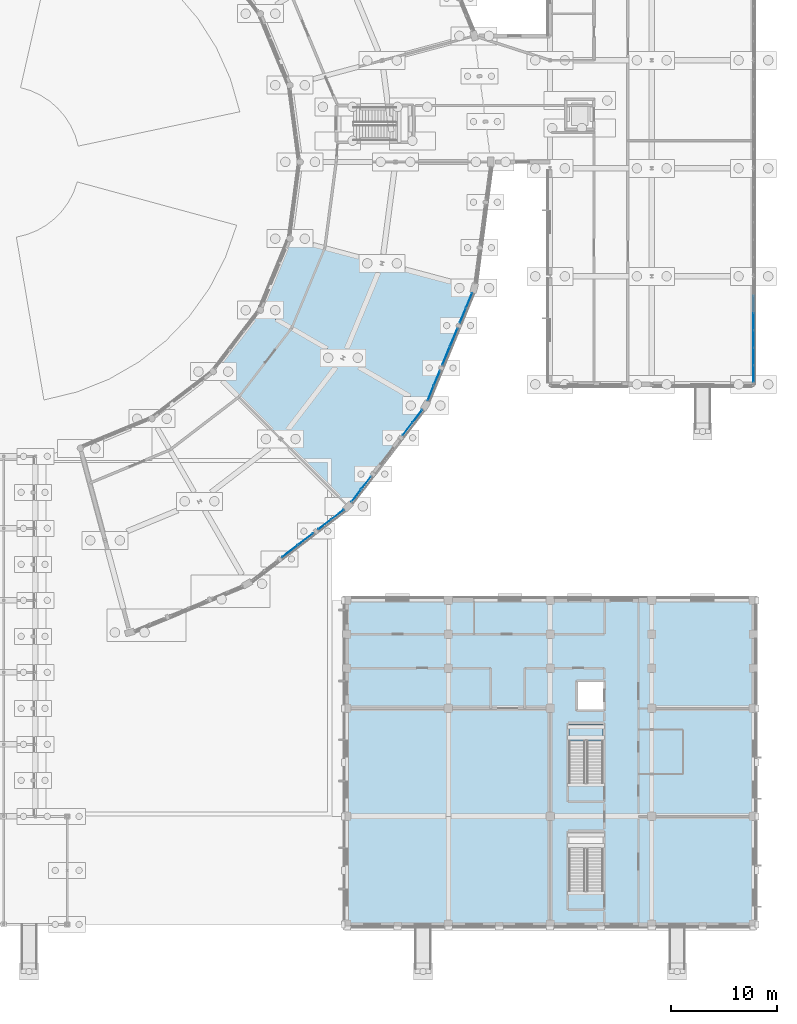
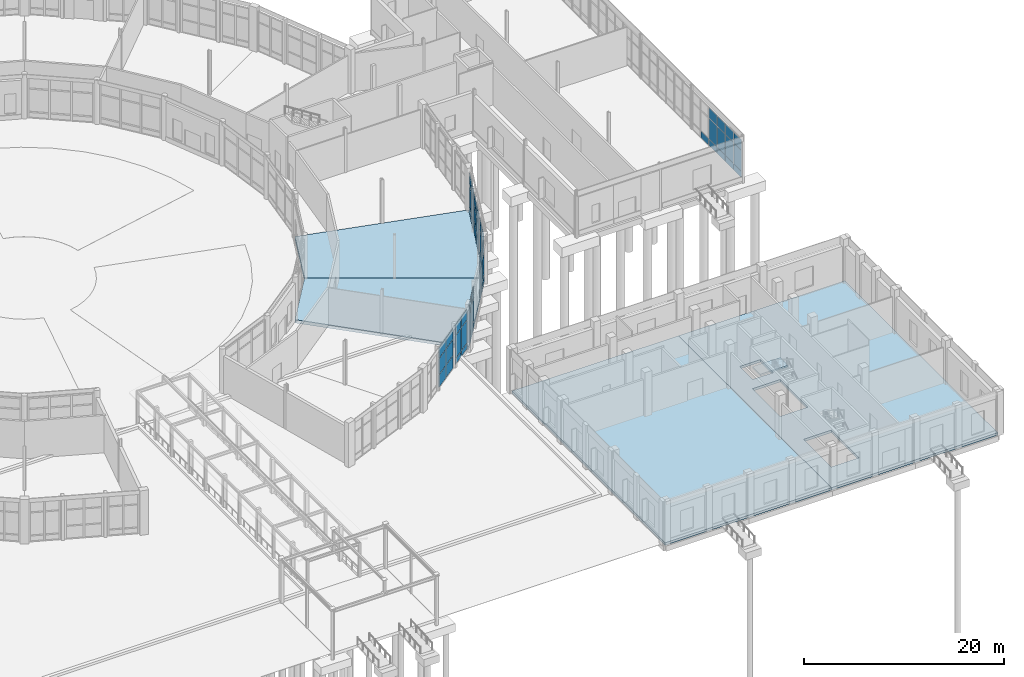
# One storey, part 93 of 137: 55 plates, 5 slabs, 9 elements without a shape of their own.
"""IFC4 building model written with IfcOpenShell, lengths in metres."""

from ifc_helpers import new_model, si_unit, direction, frame, origin, origin_2d, place, context, subcontext, project, spatial, polyline, rectangle, outline, extrude, material, layer, layer_set, type_object, element, aggregate, save


model = new_model("IFC4")

# Units and contexts
model_context = context("Model", 3, precision=1e-05, world=origin(), true_north=direction((0.0, 1.0)))
body_context = subcontext(model_context, "Body", "Model", "MODEL_VIEW")
ifc_project = project(units=[si_unit("LENGTHUNIT", "METRE"), si_unit("AREAUNIT", "SQUARE_METRE"), si_unit("VOLUMEUNIT", "CUBIC_METRE"), si_unit("PLANEANGLEUNIT", "RADIAN"), si_unit("MASSUNIT", "GRAM", prefix="KILO")], contexts=[model_context])

# Site, building, storey
site_placement = place(None, origin())
site = spatial("IfcSite", under=ifc_project, at=site_placement, CompositionType="ELEMENT")
building_placement = place(site_placement, origin())
building = spatial("IfcBuilding", under=site, at=building_placement, Name="Vondelvale Polytechnic", CompositionType="ELEMENT")
storey_placement = place(building_placement, origin())
storey = spatial("IfcBuildingStorey", under=building, at=storey_placement, Name="L00", CompositionType="ELEMENT", Elevation=0.0)

# Curtain wall, plates
ifc_material_1 = material(Name="Glulam GL18 structural Tasmanian oak (fb = 42 MPa)", Category="wood")
curtain_wall_type_1 = type_object("IfcCurtainWallType", Name="CW-RING-OUTER", PredefinedType="NOTDEFINED", material=ifc_material_1)
curtain_wall_1_placement = place(storey_placement, origin())
curtain_wall_1 = element("IfcCurtainWall", 1, at=curtain_wall_1_placement, inside=storey, type_object=curtain_wall_type_1, Name="L00 architectural curtain wall CW-04-343", PredefinedType="NOTDEFINED")
ifc_material_2 = material(Name="Double-glazed low-E insulated architectural glass", Category="glass")
ifc_layer_1 = layer(ifc_material_2, 0.028076171875)
ifc_layer_set_1 = layer_set([ifc_layer_1], Name="CW-PANEL-GLAZED")
plate_type_1 = type_object("IfcPlateType", Name="CW-PANEL-GLAZED", PredefinedType="CURTAIN_PANEL", material=ifc_layer_set_1)
plate_1_placement = place(storey_placement, frame((132.30908203125, 37.771240234375, 0.77978515625), z_axis=(0.0, 0.0, 1.0), x_axis=(0.793351666305, 0.608763610584, 0.0)))
plate_1 = element("IfcPlate", 2, at=plate_1_placement, type_object=plate_type_1, Name="CW-04-343 panel 1.2", PredefinedType="CURTAIN_PANEL", context=body_context, shape_type="SweptSolid", body=[
    extrude(rectangle(XDim=1.454345703125, YDim=0.028076171875, at=origin_2d()), origin(), (0.0, 0.0, 1.0), 2.760009765625),
])
plate_2_placement = place(storey_placement, frame((132.30908203125, 37.771240234375, 3.60009765625), z_axis=(0.0, 0.0, 1.0), x_axis=(0.793351666305, 0.608763610584, 0.0)))
plate_2 = element("IfcPlate", 3, at=plate_2_placement, type_object=plate_type_1, Name="CW-04-343 panel 1.3", PredefinedType="CURTAIN_PANEL", context=body_context, shape_type="SweptSolid", body=[
    extrude(rectangle(XDim=1.454345703125, YDim=0.028076171875, at=origin_2d()), origin(), (0.0, 0.0, 1.0), 1.260009765625),
])
plate_3_placement = place(storey_placement, frame((133.514404296875, 38.696044921875, 0.77978515625), z_axis=(0.0, 0.0, 1.0), x_axis=(0.793351666305, 0.608763610584, 0.0)))
plate_3 = element("IfcPlate", 4, at=plate_3_placement, type_object=plate_type_1, Name="CW-04-343 panel 2.2", PredefinedType="CURTAIN_PANEL", context=body_context, shape_type="SweptSolid", body=[
    extrude(rectangle(XDim=1.454345703125, YDim=0.028076171875, at=origin_2d()), origin(), (0.0, 0.0, 1.0), 2.760009765625),
])
plate_4_placement = place(storey_placement, frame((133.514404296875, 38.696044921875, 3.60009765625), z_axis=(0.0, 0.0, 1.0), x_axis=(0.793351666305, 0.608763610584, 0.0)))
plate_4 = element("IfcPlate", 5, at=plate_4_placement, type_object=plate_type_1, Name="CW-04-343 panel 2.3", PredefinedType="CURTAIN_PANEL", context=body_context, shape_type="SweptSolid", body=[
    extrude(rectangle(XDim=1.454345703125, YDim=0.028076171875, at=origin_2d()), origin(), (0.0, 0.0, 1.0), 1.260009765625),
])

curtain_wall_2_placement = place(storey_placement, origin())
curtain_wall_2 = element("IfcCurtainWall", 6, at=curtain_wall_2_placement, inside=storey, type_object=curtain_wall_type_1, Name="L00 architectural curtain wall CW-04-349", PredefinedType="NOTDEFINED")
plate_5_placement = place(storey_placement, frame((135.303955078125, 40.485595703125, 0.8798828125), z_axis=(0.0, 0.0, 1.0), x_axis=(0.608763610584, 0.793351666305, 0.0)))
plate_5 = element("IfcPlate", 7, at=plate_5_placement, type_object=plate_type_1, Name="CW-04-349 panel 1.2", PredefinedType="CURTAIN_PANEL", context=body_context, shape_type="SweptSolid", body=[
    extrude(rectangle(XDim=1.454345703125, YDim=0.028076171875, at=origin_2d()), origin(), (0.0, 0.0, 1.0), 2.659912109375),
])
plate_6_placement = place(storey_placement, frame((135.303955078125, 40.485595703125, 3.60009765625), z_axis=(0.0, 0.0, 1.0), x_axis=(0.608763610584, 0.793351666305, 0.0)))
plate_6 = element("IfcPlate", 8, at=plate_6_placement, type_object=plate_type_1, Name="CW-04-349 panel 1.3", PredefinedType="CURTAIN_PANEL", context=body_context, shape_type="SweptSolid", body=[
    extrude(rectangle(XDim=1.454345703125, YDim=0.028076171875, at=origin_2d()), origin(), (0.0, 0.0, 1.0), 1.260009765625),
])
plate_7_placement = place(storey_placement, frame((136.228759765625, 41.69091796875, 0.8798828125), z_axis=(0.0, 0.0, 1.0), x_axis=(0.608763610584, 0.793351666305, 0.0)))
plate_7 = element("IfcPlate", 9, at=plate_7_placement, type_object=plate_type_1, Name="CW-04-349 panel 2.2", PredefinedType="CURTAIN_PANEL", context=body_context, shape_type="SweptSolid", body=[
    extrude(rectangle(XDim=1.454345703125, YDim=0.028076171875, at=origin_2d()), origin(), (0.0, 0.0, 1.0), 2.659912109375),
])
plate_8_placement = place(storey_placement, frame((136.228759765625, 41.69091796875, 3.60009765625), z_axis=(0.0, 0.0, 1.0), x_axis=(0.608763610584, 0.793351666305, 0.0)))
plate_8 = element("IfcPlate", 10, at=plate_8_placement, type_object=plate_type_1, Name="CW-04-349 panel 2.3", PredefinedType="CURTAIN_PANEL", context=body_context, shape_type="SweptSolid", body=[
    extrude(rectangle(XDim=1.454345703125, YDim=0.028076171875, at=origin_2d()), origin(), (0.0, 0.0, 1.0), 1.260009765625),
])

curtain_wall_3_placement = place(storey_placement, origin())
curtain_wall_3 = element("IfcCurtainWall", 11, at=curtain_wall_3_placement, inside=storey, type_object=curtain_wall_type_1, Name="L00 architectural curtain wall CW-04-350", PredefinedType="NOTDEFINED")
plate_9_placement = place(storey_placement, frame((140.13525390625, 46.7822265625, 0.8798828125), z_axis=(0.0, 0.0, 1.0), x_axis=(0.608763610584, 0.793351666305, 0.0)))
plate_9 = element("IfcPlate", 12, at=plate_9_placement, type_object=plate_type_1, Name="CW-04-350 panel 1.2", PredefinedType="CURTAIN_PANEL", context=body_context, shape_type="SweptSolid", body=[
    extrude(rectangle(XDim=1.454345703125, YDim=0.028076171875, at=origin_2d()), origin(), (0.0, 0.0, 1.0), 2.659912109375),
])
plate_10_placement = place(storey_placement, frame((140.13525390625, 46.7822265625, 3.60009765625), z_axis=(0.0, 0.0, 1.0), x_axis=(0.608763610584, 0.793351666305, 0.0)))
plate_10 = element("IfcPlate", 13, at=plate_10_placement, type_object=plate_type_1, Name="CW-04-350 panel 1.3", PredefinedType="CURTAIN_PANEL", context=body_context, shape_type="SweptSolid", body=[
    extrude(rectangle(XDim=1.454345703125, YDim=0.028076171875, at=origin_2d()), origin(), (0.0, 0.0, 1.0), 1.260009765625),
])
plate_11_placement = place(storey_placement, frame((141.060302734375, 47.987548828125, 0.8798828125), z_axis=(0.0, 0.0, 1.0), x_axis=(0.608763610584, 0.793351666305, 0.0)))
plate_11 = element("IfcPlate", 14, at=plate_11_placement, type_object=plate_type_1, Name="CW-04-350 panel 2.2", PredefinedType="CURTAIN_PANEL", context=body_context, shape_type="SweptSolid", body=[
    extrude(rectangle(XDim=1.454345703125, YDim=0.028076171875, at=origin_2d()), origin(), (0.0, 0.0, 1.0), 2.659912109375),
])
plate_12_placement = place(storey_placement, frame((141.060302734375, 47.987548828125, 3.60009765625), z_axis=(0.0, 0.0, 1.0), x_axis=(0.608763610584, 0.793351666305, 0.0)))
plate_12 = element("IfcPlate", 15, at=plate_12_placement, type_object=plate_type_1, Name="CW-04-350 panel 2.3", PredefinedType="CURTAIN_PANEL", context=body_context, shape_type="SweptSolid", body=[
    extrude(rectangle(XDim=1.454345703125, YDim=0.028076171875, at=origin_2d()), origin(), (0.0, 0.0, 1.0), 1.260009765625),
])

curtain_wall_4_placement = place(storey_placement, origin())
curtain_wall_4 = element("IfcCurtainWall", 16, at=curtain_wall_4_placement, inside=storey, type_object=curtain_wall_type_1, Name="L00 architectural curtain wall CW-04-359", PredefinedType="NOTDEFINED")
plate_13_placement = place(storey_placement, frame((142.325439453125, 50.178955078125, 0.77978515625), z_axis=(0.0, 0.0, 1.0), x_axis=(0.382679040691, 0.92388135159, 0.0)))
plate_13 = element("IfcPlate", 17, at=plate_13_placement, type_object=plate_type_1, Name="CW-04-359 panel 1.2", PredefinedType="CURTAIN_PANEL", context=body_context, shape_type="SweptSolid", body=[
    extrude(rectangle(XDim=1.454345703125, YDim=0.028076171875, at=origin_2d()), origin(), (0.0, 0.0, 1.0), 2.760009765625),
])
plate_14_placement = place(storey_placement, frame((142.325439453125, 50.178955078125, 3.60009765625), z_axis=(0.0, 0.0, 1.0), x_axis=(0.382679040691, 0.92388135159, 0.0)))
plate_14 = element("IfcPlate", 18, at=plate_14_placement, type_object=plate_type_1, Name="CW-04-359 panel 1.3", PredefinedType="CURTAIN_PANEL", context=body_context, shape_type="SweptSolid", body=[
    extrude(rectangle(XDim=1.454345703125, YDim=0.028076171875, at=origin_2d()), origin(), (0.0, 0.0, 1.0), 1.260009765625),
])
plate_15_placement = place(storey_placement, frame((142.906982421875, 51.582763671875, 0.77978515625), z_axis=(0.0, 0.0, 1.0), x_axis=(0.382679040691, 0.92388135159, 0.0)))
plate_15 = element("IfcPlate", 19, at=plate_15_placement, type_object=plate_type_1, Name="CW-04-359 panel 2.2", PredefinedType="CURTAIN_PANEL", context=body_context, shape_type="SweptSolid", body=[
    extrude(rectangle(XDim=1.454345703125, YDim=0.028076171875, at=origin_2d()), origin(), (0.0, 0.0, 1.0), 2.760009765625),
])
plate_16_placement = place(storey_placement, frame((142.906982421875, 51.582763671875, 3.60009765625), z_axis=(0.0, 0.0, 1.0), x_axis=(0.382679040691, 0.92388135159, 0.0)))
plate_16 = element("IfcPlate", 20, at=plate_16_placement, type_object=plate_type_1, Name="CW-04-359 panel 2.3", PredefinedType="CURTAIN_PANEL", context=body_context, shape_type="SweptSolid", body=[
    extrude(rectangle(XDim=1.454345703125, YDim=0.028076171875, at=origin_2d()), origin(), (0.0, 0.0, 1.0), 1.260009765625),
])

curtain_wall_5_placement = place(storey_placement, origin())
curtain_wall_5 = element("IfcCurtainWall", 21, at=curtain_wall_5_placement, inside=storey, type_object=curtain_wall_type_1, Name="L00 architectural curtain wall CW-04-361", PredefinedType="NOTDEFINED")
plate_17_placement = place(storey_placement, frame((145.36279296875, 57.511474609375, 0.77978515625), z_axis=(0.0, 0.0, 1.0), x_axis=(0.382679040691, 0.92388135159, 0.0)))
plate_17 = element("IfcPlate", 22, at=plate_17_placement, type_object=plate_type_1, Name="CW-04-361 panel 1.2", PredefinedType="CURTAIN_PANEL", context=body_context, shape_type="SweptSolid", body=[
    extrude(rectangle(XDim=1.454345703125, YDim=0.028076171875, at=origin_2d()), origin(), (0.0, 0.0, 1.0), 2.760009765625),
])
plate_18_placement = place(storey_placement, frame((145.36279296875, 57.511474609375, 3.60009765625), z_axis=(0.0, 0.0, 1.0), x_axis=(0.382679040691, 0.92388135159, 0.0)))
plate_18 = element("IfcPlate", 23, at=plate_18_placement, type_object=plate_type_1, Name="CW-04-361 panel 1.3", PredefinedType="CURTAIN_PANEL", context=body_context, shape_type="SweptSolid", body=[
    extrude(rectangle(XDim=1.454345703125, YDim=0.028076171875, at=origin_2d()), origin(), (0.0, 0.0, 1.0), 1.260009765625),
])
plate_19_placement = place(storey_placement, frame((145.9443359375, 58.915283203125, 0.77978515625), z_axis=(0.0, 0.0, 1.0), x_axis=(0.382679040691, 0.92388135159, 0.0)))
plate_19 = element("IfcPlate", 24, at=plate_19_placement, type_object=plate_type_1, Name="CW-04-361 panel 2.2", PredefinedType="CURTAIN_PANEL", context=body_context, shape_type="SweptSolid", body=[
    extrude(rectangle(XDim=1.454345703125, YDim=0.028076171875, at=origin_2d()), origin(), (0.0, 0.0, 1.0), 2.760009765625),
])
plate_20_placement = place(storey_placement, frame((145.9443359375, 58.915283203125, 3.60009765625), z_axis=(0.0, 0.0, 1.0), x_axis=(0.382679040691, 0.92388135159, 0.0)))
plate_20 = element("IfcPlate", 25, at=plate_20_placement, type_object=plate_type_1, Name="CW-04-361 panel 2.3", PredefinedType="CURTAIN_PANEL", context=body_context, shape_type="SweptSolid", body=[
    extrude(rectangle(XDim=1.454345703125, YDim=0.028076171875, at=origin_2d()), origin(), (0.0, 0.0, 1.0), 1.260009765625),
])

ifc_material_3 = material(Name="Anodised extruded aluminium 6063-T6", Category="aluminium")
curtain_wall_type_2 = type_object("IfcCurtainWallType", Name="CW-REFECTORY", PredefinedType="NOTDEFINED", material=ifc_material_3)
curtain_wall_6_placement = place(storey_placement, origin())
curtain_wall_6 = element("IfcCurtainWall", 26, at=curtain_wall_6_placement, inside=storey, type_object=curtain_wall_type_2, Name="L00 architectural curtain wall CW-05-385", PredefinedType="NOTDEFINED")
plate_21_placement = place(storey_placement, frame((172.800048828125, 52.000732421875, 0.88232421875), z_axis=(0.0, 0.0, 1.0), x_axis=(0.0, 1.0, 0.0)))
plate_21 = element("IfcPlate", 27, at=plate_21_placement, type_object=plate_type_1, Name="CW-05-385 panel 1.2", PredefinedType="CURTAIN_PANEL", context=body_context, shape_type="SweptSolid", body=[
    extrude(rectangle(XDim=1.541748046875, YDim=0.028076171875, at=origin_2d()), origin(), (0.0, 0.0, 1.0), 2.485107421875),
])
plate_22_placement = place(storey_placement, frame((172.800048828125, 52.000732421875, 3.4326171875), z_axis=(0.0, 0.0, 1.0), x_axis=(0.0, 1.0, 0.0)))
plate_22 = element("IfcPlate", 28, at=plate_22_placement, type_object=plate_type_1, Name="CW-05-385 panel 1.3", PredefinedType="CURTAIN_PANEL", context=body_context, shape_type="SweptSolid", body=[
    extrude(rectangle(XDim=1.541748046875, YDim=0.028076171875, at=origin_2d()), origin(), (0.0, 0.0, 1.0), 1.25244140625),
])
plate_23_placement = place(storey_placement, frame((172.800048828125, 53.6298828125, 0.88232421875), z_axis=(0.0, 0.0, 1.0), x_axis=(0.0, 1.0, 0.0)))
plate_23 = element("IfcPlate", 29, at=plate_23_placement, type_object=plate_type_1, Name="CW-05-385 panel 2.2", PredefinedType="CURTAIN_PANEL", context=body_context, shape_type="SweptSolid", body=[
    extrude(rectangle(XDim=1.57666015625, YDim=0.028076171875, at=origin_2d()), origin(), (0.0, 0.0, 1.0), 2.485107421875),
])
plate_24_placement = place(storey_placement, frame((172.800048828125, 53.6298828125, 3.4326171875), z_axis=(0.0, 0.0, 1.0), x_axis=(0.0, 1.0, 0.0)))
plate_24 = element("IfcPlate", 30, at=plate_24_placement, type_object=plate_type_1, Name="CW-05-385 panel 2.3", PredefinedType="CURTAIN_PANEL", context=body_context, shape_type="SweptSolid", body=[
    extrude(rectangle(XDim=1.57666015625, YDim=0.028076171875, at=origin_2d()), origin(), (0.0, 0.0, 1.0), 1.25244140625),
])
plate_25_placement = place(storey_placement, frame((172.800048828125, 55.276611328125, 0.88232421875), z_axis=(0.0, 0.0, 1.0), x_axis=(0.0, 1.0, 0.0)))
plate_25 = element("IfcPlate", 31, at=plate_25_placement, type_object=plate_type_1, Name="CW-05-385 panel 3.2", PredefinedType="CURTAIN_PANEL", context=body_context, shape_type="SweptSolid", body=[
    extrude(rectangle(XDim=1.57666015625, YDim=0.028076171875, at=origin_2d()), origin(), (0.0, 0.0, 1.0), 2.485107421875),
])
plate_26_placement = place(storey_placement, frame((172.800048828125, 55.276611328125, 3.4326171875), z_axis=(0.0, 0.0, 1.0), x_axis=(0.0, 1.0, 0.0)))
plate_26 = element("IfcPlate", 32, at=plate_26_placement, type_object=plate_type_1, Name="CW-05-385 panel 3.3", PredefinedType="CURTAIN_PANEL", context=body_context, shape_type="SweptSolid", body=[
    extrude(rectangle(XDim=1.57666015625, YDim=0.028076171875, at=origin_2d()), origin(), (0.0, 0.0, 1.0), 1.25244140625),
])
plate_27_placement = place(storey_placement, frame((172.800048828125, 56.92333984375, 0.88232421875), z_axis=(0.0, 0.0, 1.0), x_axis=(0.0, 1.0, 0.0)))
plate_27 = element("IfcPlate", 33, at=plate_27_placement, type_object=plate_type_1, Name="CW-05-385 panel 4.2", PredefinedType="CURTAIN_PANEL", context=body_context, shape_type="SweptSolid", body=[
    extrude(rectangle(XDim=1.57666015625, YDim=0.028076171875, at=origin_2d()), origin(), (0.0, 0.0, 1.0), 2.485107421875),
])
plate_28_placement = place(storey_placement, frame((172.800048828125, 56.92333984375, 3.4326171875), z_axis=(0.0, 0.0, 1.0), x_axis=(0.0, 1.0, 0.0)))
plate_28 = element("IfcPlate", 34, at=plate_28_placement, type_object=plate_type_1, Name="CW-05-385 panel 4.3", PredefinedType="CURTAIN_PANEL", context=body_context, shape_type="SweptSolid", body=[
    extrude(rectangle(XDim=1.57666015625, YDim=0.028076171875, at=origin_2d()), origin(), (0.0, 0.0, 1.0), 1.25244140625),
])

curtain_wall_7_placement = place(storey_placement, origin())
curtain_wall_7 = element("IfcCurtainWall", 35, at=curtain_wall_7_placement, inside=storey, type_object=curtain_wall_type_1, Name="L00 architectural curtain wall CW-04-342", PredefinedType="NOTDEFINED")
ifc_material_4 = material(Name="Engineered Tasmanian oak studio and bridge joinery")
ifc_layer_2 = layer(ifc_material_4, 0.0419921875)
ifc_layer_set_2 = layer_set([ifc_layer_2], Name="CW-PANEL-OAK")
plate_type_2 = type_object("IfcPlateType", Name="CW-PANEL-OAK", PredefinedType="CURTAIN_PANEL", material=ifc_layer_set_2)
plate_29_placement = place(storey_placement, frame((129.02001953125, 35.24755859375, 0.06005859375), z_axis=(0.0, 0.0, 1.0), x_axis=(0.793345851043, 0.608771189063, 0.0)))
plate_29 = element("IfcPlate", 36, at=plate_29_placement, type_object=plate_type_2, Name="CW-04-342 panel 1.1", PredefinedType="CURTAIN_PANEL", context=body_context, shape_type="SweptSolid", body=[
    extrude(rectangle(XDim=1.80908203125, YDim=0.0419921875, at=origin_2d()), origin(), (0.0, 0.0, 1.0), 1.510009765625),
])
plate_30_placement = place(storey_placement, frame((129.02001953125, 35.24755859375, 1.6298828125), z_axis=(0.0, 0.0, 1.0), x_axis=(0.793345851043, 0.608771189063, 0.0)))
plate_30 = element("IfcPlate", 37, at=plate_30_placement, type_object=plate_type_2, Name="CW-04-342 panel 1.2", PredefinedType="CURTAIN_PANEL", context=body_context, shape_type="SweptSolid", body=[
    extrude(rectangle(XDim=1.80908203125, YDim=0.0419921875, at=origin_2d()), origin(), (0.0, 0.0, 1.0), 1.909912109375),
])
plate_31_placement = place(storey_placement, frame((129.02001953125, 35.24755859375, 3.60009765625), z_axis=(0.0, 0.0, 1.0), x_axis=(0.793345851043, 0.608771189063, 0.0)))
plate_31 = element("IfcPlate", 38, at=plate_31_placement, type_object=plate_type_2, Name="CW-04-342 panel 1.3", PredefinedType="CURTAIN_PANEL", context=body_context, shape_type="SweptSolid", body=[
    extrude(rectangle(XDim=1.80908203125, YDim=0.0419921875, at=origin_2d()), origin(), (0.0, 0.0, 1.0), 1.260009765625),
])
plate_32_placement = place(storey_placement, frame((130.5068359375, 36.388427734375, 0.06005859375), z_axis=(0.0, 0.0, 1.0), x_axis=(0.793345851043, 0.608771189063, 0.0)))
plate_32 = element("IfcPlate", 39, at=plate_32_placement, type_object=plate_type_2, Name="CW-04-342 panel 2.1", PredefinedType="CURTAIN_PANEL", context=body_context, shape_type="SweptSolid", body=[
    extrude(rectangle(XDim=1.80908203125, YDim=0.0419921875, at=origin_2d()), origin(), (0.0, 0.0, 1.0), 1.510009765625),
])
plate_33_placement = place(storey_placement, frame((130.5068359375, 36.388427734375, 1.6298828125), z_axis=(0.0, 0.0, 1.0), x_axis=(0.793345851043, 0.608771189063, 0.0)))
plate_33 = element("IfcPlate", 40, at=plate_33_placement, type_object=plate_type_2, Name="CW-04-342 panel 2.2", PredefinedType="CURTAIN_PANEL", context=body_context, shape_type="SweptSolid", body=[
    extrude(rectangle(XDim=1.80908203125, YDim=0.0419921875, at=origin_2d()), origin(), (0.0, 0.0, 1.0), 1.909912109375),
])
plate_34_placement = place(storey_placement, frame((130.5068359375, 36.388427734375, 3.60009765625), z_axis=(0.0, 0.0, 1.0), x_axis=(0.793345851043, 0.608771189063, 0.0)))
plate_34 = element("IfcPlate", 41, at=plate_34_placement, type_object=plate_type_2, Name="CW-04-342 panel 2.3", PredefinedType="CURTAIN_PANEL", context=body_context, shape_type="SweptSolid", body=[
    extrude(rectangle(XDim=1.80908203125, YDim=0.0419921875, at=origin_2d()), origin(), (0.0, 0.0, 1.0), 1.260009765625),
])
aggregate(curtain_wall_7, [plate_29, plate_30, plate_31, plate_32, plate_33, plate_34])

# Plate
plate_35_placement = place(storey_placement, frame((135.303955078125, 40.485595703125, 0.06005859375), z_axis=(0.0, 0.0, 1.0), x_axis=(0.608763610584, 0.793351666305, 0.0)))
plate_35 = element("IfcPlate", 42, at=plate_35_placement, type_object=plate_type_2, Name="CW-04-349 panel 1.1", PredefinedType="CURTAIN_PANEL", context=body_context, shape_type="SweptSolid", body=[
    extrude(rectangle(XDim=1.454345703125, YDim=0.0419921875, at=origin_2d()), origin(), (0.0, 0.0, 1.0), 0.760009765625),
])

plate_36_placement = place(storey_placement, frame((136.228759765625, 41.69091796875, 0.06005859375), z_axis=(0.0, 0.0, 1.0), x_axis=(0.608763610584, 0.793351666305, 0.0)))
plate_36 = element("IfcPlate", 43, at=plate_36_placement, type_object=plate_type_2, Name="CW-04-349 panel 2.1", PredefinedType="CURTAIN_PANEL", context=body_context, shape_type="SweptSolid", body=[
    extrude(rectangle(XDim=1.454345703125, YDim=0.0419921875, at=origin_2d()), origin(), (0.0, 0.0, 1.0), 0.760009765625),
])

aggregate(curtain_wall_2, [plate_35, plate_5, plate_6, plate_36, plate_7, plate_8])

plate_37_placement = place(storey_placement, frame((140.13525390625, 46.7822265625, 0.06005859375), z_axis=(0.0, 0.0, 1.0), x_axis=(0.608763610584, 0.793351666305, 0.0)))
plate_37 = element("IfcPlate", 44, at=plate_37_placement, type_object=plate_type_2, Name="CW-04-350 panel 1.1", PredefinedType="CURTAIN_PANEL", context=body_context, shape_type="SweptSolid", body=[
    extrude(rectangle(XDim=1.454345703125, YDim=0.0419921875, at=origin_2d()), origin(), (0.0, 0.0, 1.0), 0.760009765625),
])

plate_38_placement = place(storey_placement, frame((141.060302734375, 47.987548828125, 0.06005859375), z_axis=(0.0, 0.0, 1.0), x_axis=(0.608763610584, 0.793351666305, 0.0)))
plate_38 = element("IfcPlate", 45, at=plate_38_placement, type_object=plate_type_2, Name="CW-04-350 panel 2.1", PredefinedType="CURTAIN_PANEL", context=body_context, shape_type="SweptSolid", body=[
    extrude(rectangle(XDim=1.454345703125, YDim=0.0419921875, at=origin_2d()), origin(), (0.0, 0.0, 1.0), 0.760009765625),
])

aggregate(curtain_wall_3, [plate_37, plate_9, plate_10, plate_38, plate_11, plate_12])

# Curtain wall, plates
curtain_wall_8_placement = place(storey_placement, origin())
curtain_wall_8 = element("IfcCurtainWall", 46, at=curtain_wall_8_placement, inside=storey, type_object=curtain_wall_type_1, Name="L00 architectural curtain wall CW-04-360", PredefinedType="NOTDEFINED")
plate_39_placement = place(storey_placement, frame((143.7763671875, 53.681396484375, 0.06005859375), z_axis=(0.0, 0.0, 1.0), x_axis=(0.382694599123, 0.92387490701, 0.0)))
plate_39 = element("IfcPlate", 47, at=plate_39_placement, type_object=plate_type_2, Name="CW-04-360 panel 1.1", PredefinedType="CURTAIN_PANEL", context=body_context, shape_type="SweptSolid", body=[
    extrude(rectangle(XDim=1.80908203125, YDim=0.0419921875, at=origin_2d()), origin(), (0.0, 0.0, 1.0), 1.510009765625),
])
plate_40_placement = place(storey_placement, frame((143.7763671875, 53.681396484375, 1.6298828125), z_axis=(0.0, 0.0, 1.0), x_axis=(0.382694599123, 0.92387490701, 0.0)))
plate_40 = element("IfcPlate", 48, at=plate_40_placement, type_object=plate_type_2, Name="CW-04-360 panel 1.2", PredefinedType="CURTAIN_PANEL", context=body_context, shape_type="SweptSolid", body=[
    extrude(rectangle(XDim=1.80908203125, YDim=0.0419921875, at=origin_2d()), origin(), (0.0, 0.0, 1.0), 1.909912109375),
])
plate_41_placement = place(storey_placement, frame((143.7763671875, 53.681396484375, 3.60009765625), z_axis=(0.0, 0.0, 1.0), x_axis=(0.382694599123, 0.92387490701, 0.0)))
plate_41 = element("IfcPlate", 49, at=plate_41_placement, type_object=plate_type_2, Name="CW-04-360 panel 1.3", PredefinedType="CURTAIN_PANEL", context=body_context, shape_type="SweptSolid", body=[
    extrude(rectangle(XDim=1.80908203125, YDim=0.0419921875, at=origin_2d()), origin(), (0.0, 0.0, 1.0), 1.260009765625),
])
plate_42_placement = place(storey_placement, frame((144.493408203125, 55.412841796875, 0.06005859375), z_axis=(0.0, 0.0, 1.0), x_axis=(0.382694599123, 0.92387490701, 0.0)))
plate_42 = element("IfcPlate", 50, at=plate_42_placement, type_object=plate_type_2, Name="CW-04-360 panel 2.1", PredefinedType="CURTAIN_PANEL", context=body_context, shape_type="SweptSolid", body=[
    extrude(rectangle(XDim=1.80908203125, YDim=0.0419921875, at=origin_2d()), origin(), (0.0, 0.0, 1.0), 1.510009765625),
])
plate_43_placement = place(storey_placement, frame((144.493408203125, 55.412841796875, 1.6298828125), z_axis=(0.0, 0.0, 1.0), x_axis=(0.382694599123, 0.92387490701, 0.0)))
plate_43 = element("IfcPlate", 51, at=plate_43_placement, type_object=plate_type_2, Name="CW-04-360 panel 2.2", PredefinedType="CURTAIN_PANEL", context=body_context, shape_type="SweptSolid", body=[
    extrude(rectangle(XDim=1.80908203125, YDim=0.0419921875, at=origin_2d()), origin(), (0.0, 0.0, 1.0), 1.909912109375),
])
plate_44_placement = place(storey_placement, frame((144.493408203125, 55.412841796875, 3.60009765625), z_axis=(0.0, 0.0, 1.0), x_axis=(0.382694599123, 0.92387490701, 0.0)))
plate_44 = element("IfcPlate", 52, at=plate_44_placement, type_object=plate_type_2, Name="CW-04-360 panel 2.3", PredefinedType="CURTAIN_PANEL", context=body_context, shape_type="SweptSolid", body=[
    extrude(rectangle(XDim=1.80908203125, YDim=0.0419921875, at=origin_2d()), origin(), (0.0, 0.0, 1.0), 1.260009765625),
])
aggregate(curtain_wall_8, [plate_39, plate_40, plate_41, plate_42, plate_43, plate_44])

# Plate
ifc_material_5 = material(Name="Kiln-fired architectural terracotta", Category="masonry")
ifc_layer_3 = layer(ifc_material_5, 0.035888671875)
ifc_layer_set_3 = layer_set([ifc_layer_3], Name="CW-PANEL-SPANDREL")
plate_type_3 = type_object("IfcPlateType", Name="CW-PANEL-SPANDREL", PredefinedType="CURTAIN_PANEL", material=ifc_layer_set_3)
plate_45_placement = place(storey_placement, frame((132.30908203125, 37.771240234375, 0.06005859375), z_axis=(0.0, 0.0, 1.0), x_axis=(0.793351666305, 0.608763610584, 0.0)))
plate_45 = element("IfcPlate", 53, at=plate_45_placement, type_object=plate_type_3, Name="CW-04-343 panel 1.1", PredefinedType="CURTAIN_PANEL", context=body_context, shape_type="SweptSolid", body=[
    extrude(rectangle(XDim=1.454345703125, YDim=0.035888671875, at=origin_2d()), origin(), (0.0, 0.0, 1.0), 0.659912109375),
])

plate_46_placement = place(storey_placement, frame((133.514404296875, 38.696044921875, 0.06005859375), z_axis=(0.0, 0.0, 1.0), x_axis=(0.793351666305, 0.608763610584, 0.0)))
plate_46 = element("IfcPlate", 54, at=plate_46_placement, type_object=plate_type_3, Name="CW-04-343 panel 2.1", PredefinedType="CURTAIN_PANEL", context=body_context, shape_type="SweptSolid", body=[
    extrude(rectangle(XDim=1.454345703125, YDim=0.035888671875, at=origin_2d()), origin(), (0.0, 0.0, 1.0), 0.659912109375),
])

aggregate(curtain_wall_1, [plate_45, plate_1, plate_2, plate_46, plate_3, plate_4])

plate_47_placement = place(storey_placement, frame((142.325439453125, 50.178955078125, 0.06005859375), z_axis=(0.0, 0.0, 1.0), x_axis=(0.382679040691, 0.92388135159, 0.0)))
plate_47 = element("IfcPlate", 55, at=plate_47_placement, type_object=plate_type_3, Name="CW-04-359 panel 1.1", PredefinedType="CURTAIN_PANEL", context=body_context, shape_type="SweptSolid", body=[
    extrude(rectangle(XDim=1.454345703125, YDim=0.035888671875, at=origin_2d()), origin(), (0.0, 0.0, 1.0), 0.659912109375),
])

plate_48_placement = place(storey_placement, frame((142.906982421875, 51.582763671875, 0.06005859375), z_axis=(0.0, 0.0, 1.0), x_axis=(0.382679040691, 0.92388135159, 0.0)))
plate_48 = element("IfcPlate", 56, at=plate_48_placement, type_object=plate_type_3, Name="CW-04-359 panel 2.1", PredefinedType="CURTAIN_PANEL", context=body_context, shape_type="SweptSolid", body=[
    extrude(rectangle(XDim=1.454345703125, YDim=0.035888671875, at=origin_2d()), origin(), (0.0, 0.0, 1.0), 0.659912109375),
])

aggregate(curtain_wall_4, [plate_47, plate_13, plate_14, plate_48, plate_15, plate_16])

plate_49_placement = place(storey_placement, frame((145.36279296875, 57.511474609375, 0.06005859375), z_axis=(0.0, 0.0, 1.0), x_axis=(0.382679040691, 0.92388135159, 0.0)))
plate_49 = element("IfcPlate", 57, at=plate_49_placement, type_object=plate_type_3, Name="CW-04-361 panel 1.1", PredefinedType="CURTAIN_PANEL", context=body_context, shape_type="SweptSolid", body=[
    extrude(rectangle(XDim=1.454345703125, YDim=0.035888671875, at=origin_2d()), origin(), (0.0, 0.0, 1.0), 0.659912109375),
])

plate_50_placement = place(storey_placement, frame((145.9443359375, 58.915283203125, 0.06005859375), z_axis=(0.0, 0.0, 1.0), x_axis=(0.382679040691, 0.92388135159, 0.0)))
plate_50 = element("IfcPlate", 58, at=plate_50_placement, type_object=plate_type_3, Name="CW-04-361 panel 2.1", PredefinedType="CURTAIN_PANEL", context=body_context, shape_type="SweptSolid", body=[
    extrude(rectangle(XDim=1.454345703125, YDim=0.035888671875, at=origin_2d()), origin(), (0.0, 0.0, 1.0), 0.659912109375),
])

aggregate(curtain_wall_5, [plate_49, plate_17, plate_18, plate_50, plate_19, plate_20])

plate_51_placement = place(storey_placement, frame((172.800048828125, 52.000732421875, 0.06494140625), z_axis=(0.0, 0.0, 1.0), x_axis=(0.0, 1.0, 0.0)))
plate_51 = element("IfcPlate", 59, at=plate_51_placement, type_object=plate_type_3, Name="CW-05-385 panel 1.1", PredefinedType="CURTAIN_PANEL", context=body_context, shape_type="SweptSolid", body=[
    extrude(rectangle(XDim=1.541748046875, YDim=0.035888671875, at=origin_2d()), origin(), (0.0, 0.0, 1.0), 0.75244140625),
])

plate_52_placement = place(storey_placement, frame((172.800048828125, 53.6298828125, 0.06494140625), z_axis=(0.0, 0.0, 1.0), x_axis=(0.0, 1.0, 0.0)))
plate_52 = element("IfcPlate", 60, at=plate_52_placement, type_object=plate_type_3, Name="CW-05-385 panel 2.1", PredefinedType="CURTAIN_PANEL", context=body_context, shape_type="SweptSolid", body=[
    extrude(rectangle(XDim=1.57666015625, YDim=0.035888671875, at=origin_2d()), origin(), (0.0, 0.0, 1.0), 0.75244140625),
])

plate_53_placement = place(storey_placement, frame((172.800048828125, 55.276611328125, 0.06494140625), z_axis=(0.0, 0.0, 1.0), x_axis=(0.0, 1.0, 0.0)))
plate_53 = element("IfcPlate", 61, at=plate_53_placement, type_object=plate_type_3, Name="CW-05-385 panel 3.1", PredefinedType="CURTAIN_PANEL", context=body_context, shape_type="SweptSolid", body=[
    extrude(rectangle(XDim=1.57666015625, YDim=0.035888671875, at=origin_2d()), origin(), (0.0, 0.0, 1.0), 0.75244140625),
])

plate_54_placement = place(storey_placement, frame((172.800048828125, 56.92333984375, 0.06494140625), z_axis=(0.0, 0.0, 1.0), x_axis=(0.0, 1.0, 0.0)))
plate_54 = element("IfcPlate", 62, at=plate_54_placement, type_object=plate_type_3, Name="CW-05-385 panel 4.1", PredefinedType="CURTAIN_PANEL", context=body_context, shape_type="SweptSolid", body=[
    extrude(rectangle(XDim=1.57666015625, YDim=0.035888671875, at=origin_2d()), origin(), (0.0, 0.0, 1.0), 0.75244140625),
])

plate_55_placement = place(storey_placement, frame((172.800048828125, 58.570068359375, 0.06494140625), z_axis=(0.0, 0.0, 1.0), x_axis=(0.0, 1.0, 0.0)))
plate_55 = element("IfcPlate", 63, at=plate_55_placement, type_object=plate_type_3, Name="CW-05-385 panel 5.1", PredefinedType="CURTAIN_PANEL", context=body_context, shape_type="SweptSolid", body=[
    extrude(rectangle(XDim=1.57666015625, YDim=0.035888671875, at=origin_2d()), origin(), (0.0, 0.0, 1.0), 0.75244140625),
])

aggregate(curtain_wall_6, [plate_51, plate_21, plate_22, plate_52, plate_23, plate_24, plate_53, plate_25, plate_26, plate_54, plate_27, plate_28, plate_55])

# Slabs
ifc_material_6 = material(Name="Concrete N40 (f'c = 40 MPa)", Category="concrete")
ifc_layer_4 = layer(ifc_material_6, 0.39990234375)
ifc_layer_set_4 = layer_set([ifc_layer_4], Name="SLB-BASE-400")
slab_type_1 = type_object("IfcSlabType", Name="SLB-BASE-400", PredefinedType="BASESLAB", material=ifc_layer_set_4)
slab_1_placement = place(storey_placement, frame((0.0, 0.0, -0.39990234375)))
element("IfcSlab", 64, at=slab_1_placement, inside=storey, type_object=slab_type_1, Name="L00 circular ring sector 21 floor slab", PredefinedType="BASESLAB", context=body_context, shape_type="SweptSolid", body=[
    extrude(outline(polyline([(121.799072265625, 52.200927734375), (134.52685546875, 39.47314453125), (141.837158203125, 49.0), (126.248779296875, 58.0), (121.799072265625, 52.200927734375)])), origin(), (0.0, 0.0, 1.0), 0.39990234375),
])
slab_2_placement = place(storey_placement, frame((0.0, 0.0, -0.39990234375)))
element("IfcSlab", 65, at=slab_2_placement, inside=storey, type_object=slab_type_1, Name="L00 circular ring sector 22 floor slab", PredefinedType="BASESLAB", context=body_context, shape_type="SweptSolid", body=[
    extrude(outline(polyline([(126.248779296875, 58.0), (141.837158203125, 49.0), (146.4326171875, 60.09423828125), (129.0458984375, 64.753173828125), (126.248779296875, 58.0)])), origin(), (0.0, 0.0, 1.0), 0.39990234375),
])
ifc_layer_5 = layer(ifc_material_6, 0.25)
ifc_layer_set_5 = layer_set([ifc_layer_5], Name="SLB-LAB-250")
slab_type_2 = type_object("IfcSlabType", Name="SLB-LAB-250", PredefinedType="FLOOR", material=ifc_layer_set_5)
slab_3_placement = place(storey_placement, frame((0.0, 0.0, -0.300048828125)))
element("IfcSlab", 66, at=slab_3_placement, inside=storey, type_object=slab_type_2, Name="L00 lecture wing slab W", PredefinedType="FLOOR", context=body_context, shape_type="SweptSolid", body=[
    extrude(outline(polyline([(134.39990234375, 0.0), (153.60009765625, 0.0), (153.60009765625, 30.60009765625), (134.39990234375, 30.60009765625), (134.39990234375, 0.0)])), origin(), (0.0, 0.0, 1.0), 0.300048828125),
])
slab_4_placement = place(storey_placement, frame((0.0, 0.0, -0.300048828125)))
element("IfcSlab", 67, at=slab_4_placement, inside=storey, type_object=slab_type_2, Name="L00 lecture wing slab E", PredefinedType="FLOOR", context=body_context, shape_type="SweptSolid", body=[
    extrude(outline(polyline([(153.60009765625, 0.0), (172.800048828125, 0.0), (172.800048828125, 30.60009765625), (153.60009765625, 30.60009765625), (153.60009765625, 0.0)]), holes=[polyline([(158.60009765625, 3.14990234375), (158.60009765625, 8.699951171875), (155.39990234375, 8.699951171875), (155.39990234375, 3.14990234375), (158.60009765625, 3.14990234375)]), polyline([(158.60009765625, 13.35009765625), (158.60009765625, 18.89990234375), (155.39990234375, 18.89990234375), (155.39990234375, 13.35009765625), (158.60009765625, 13.35009765625)]), polyline([(156.22509765625, 20.300048828125), (158.625, 20.300048828125), (158.625, 22.89990234375), (156.22509765625, 22.89990234375), (156.22509765625, 20.300048828125)])]), origin(), (0.0, 0.0, 1.0), 0.300048828125),
])

# Stair, slab
stair_type = type_object("IfcStairType", Name="STR-DOG-1500", PredefinedType="HALF_TURN_STAIR", material=ifc_material_6)
stair_placement = place(storey_placement, origin())
stair = element("IfcStair", 68, at=stair_placement, inside=storey, type_object=stair_type, Name="L00 ST-07", PredefinedType="HALF_TURN_STAIR")
ifc_layer_6 = layer(ifc_material_6, 0.199951171875)
ifc_layer_set_6 = layer_set([ifc_layer_6], Name="SLB-LANDING-200")
slab_type_3 = type_object("IfcSlabType", Name="SLB-LANDING-200", PredefinedType="LANDING", material=ifc_layer_set_6)
slab_5_placement = place(storey_placement, frame((0.0, 0.0, 2.5)))
slab_5 = element("IfcSlab", 69, at=slab_5_placement, type_object=slab_type_3, Name="ST-07 landing 1", PredefinedType="LANDING", context=body_context, shape_type="SweptSolid", body=[
    extrude(outline(polyline([(158.60009765625, 17.340087890625), (158.60009765625, 18.89990234375), (155.39990234375, 18.89990234375), (155.39990234375, 17.340087890625), (158.60009765625, 17.340087890625)])), origin(), (0.0, 0.0, 1.0), 0.199951171875),
])
aggregate(stair, [slab_5])

save(model, "model.ifc")
